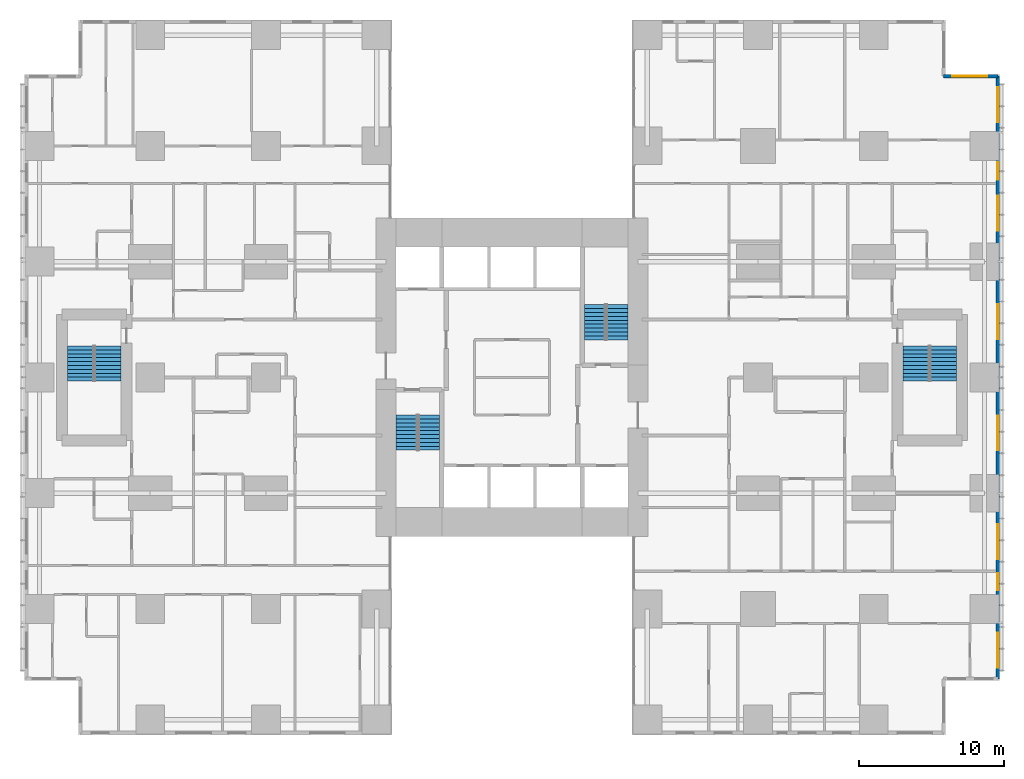
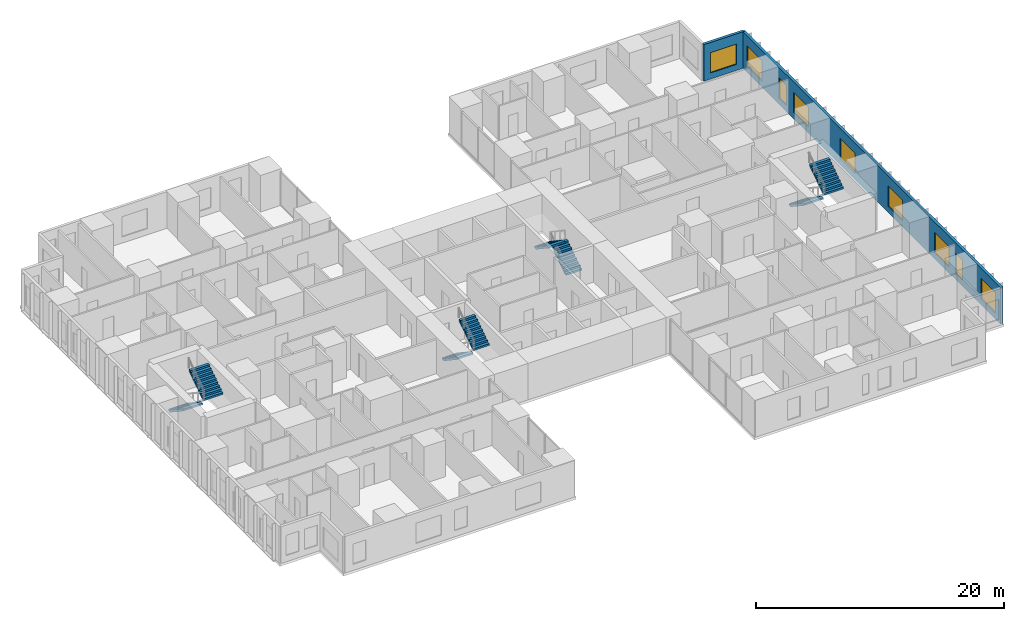
# One storey, part 19 of 20: 9 windows, 8 stair flights, 2 walls, 9 openings, 4 elements without a shape of their own.
"""IFC4 building model written with IfcOpenShell, lengths in metres."""

from ifc_helpers import new_model, si_unit, direction, frame, frame_2d, origin, place, context, subcontext, project, spatial, polyline, rectangle, outline, extrude, material, layer, layer_set, type_object, element, fill, aggregate, save


model = new_model("IFC4")

# Units and contexts
model_context = context("Model", 3, precision=1e-05, world=origin(), true_north=direction((0.0, 1.0)))
body_context = subcontext(model_context, "Body", "Model", "MODEL_VIEW")
ifc_project = project(units=[si_unit("LENGTHUNIT", "METRE"), si_unit("AREAUNIT", "SQUARE_METRE"), si_unit("VOLUMEUNIT", "CUBIC_METRE"), si_unit("PLANEANGLEUNIT", "RADIAN"), si_unit("MASSUNIT", "GRAM", prefix="KILO")], contexts=[model_context])

# Site, building, storey
site_placement = place(None, origin())
site = spatial("IfcSite", under=ifc_project, at=site_placement, CompositionType="ELEMENT")
building_placement = place(site_placement, origin())
building = spatial("IfcBuilding", under=site, at=building_placement, Name="Cleftline Residences", CompositionType="ELEMENT")
storey_placement = place(building_placement, frame((0.0, 0.0, 69.199951171875)))
storey = spatial("IfcBuildingStorey", under=building, at=storey_placement, Name="L17", CompositionType="ELEMENT", Elevation=69.199951171875)

# Wall, openings, windows
ifc_material_1 = material(Name="Rendered reinforced concrete blockwork", Category="masonry")
ifc_layer = layer(ifc_material_1, 0.25)
ifc_layer_set = layer_set([ifc_layer], Name="EXTERNAL WALL 250")
wall_type = type_object("IfcWallType", Name="EXTERNAL WALL 250", PredefinedType="SOLIDWALL", material=ifc_layer_set)
wall_1_placement = place(storey_placement, frame((66.574951171875, 3.175048828125, 0.0), z_axis=(0.0, 0.0, 1.0), x_axis=(0.0, 1.0, 0.0)))
wall_1 = element("IfcWall", 1, at=wall_1_placement, inside=storey, type_object=wall_type, Name="External wall", PredefinedType="SOLIDWALL", context=body_context, shape_type="SweptSolid", body=[
    extrude(rectangle(XDim=41.64990234375, YDim=0.25, at=frame_2d((20.824951171875, 0.0))), origin(), (0.0, 0.0, 1.0), 3.60009765625),
])
opening_1_placement = place(wall_1_placement, frame((0.77490234375, 0.0, 0.60009765625)))
opening_1 = element("IfcOpeningElement", 2, at=opening_1_placement, cuts=wall_1, Name="Opening W6", PredefinedType="OPENING", context=body_context, shape_type="SweptSolid", body=[
    extrude(rectangle(XDim=2.39990234375, YDim=2.0, at=frame_2d((1.199951171875, 1.0))), frame((0.0, 0.135009765625, 0.0), z_axis=(0.0, -1.0, 0.0), x_axis=(1.0, 0.0, 0.0)), (0.0, 0.0, 1.0), 0.27001953125),
])
opening_2_placement = place(wall_1_placement, frame((6.10009765625, 0.0, 0.60009765625)))
opening_2 = element("IfcOpeningElement", 3, at=opening_2_placement, cuts=wall_1, Name="Opening W8", PredefinedType="OPENING", context=body_context, shape_type="SweptSolid", body=[
    extrude(rectangle(XDim=1.199951171875, YDim=2.0, at=frame_2d((0.60009765625, 1.0))), frame((0.0, 0.135009765625, 0.0), z_axis=(0.0, -1.0, 0.0), x_axis=(1.0, 0.0, 0.0)), (0.0, 0.0, 1.0), 0.27001953125),
])
opening_3_placement = place(wall_1_placement, frame((8.27490234375, 0.0, 0.60009765625)))
opening_3 = element("IfcOpeningElement", 4, at=opening_3_placement, cuts=wall_1, Name="Opening W6", PredefinedType="OPENING", context=body_context, shape_type="SweptSolid", body=[
    extrude(rectangle(XDim=2.39990234375, YDim=2.0, at=frame_2d((1.199951171875, 1.0))), frame((0.0, 0.135009765625, 0.0), z_axis=(0.0, -1.0, 0.0), x_axis=(1.0, 0.0, 0.0)), (0.0, 0.0, 1.0), 0.27001953125),
])
opening_4_placement = place(wall_1_placement, frame((15.77490234375, 0.0, 0.60009765625)))
opening_4 = element("IfcOpeningElement", 5, at=opening_4_placement, cuts=wall_1, Name="Opening W6", PredefinedType="OPENING", context=body_context, shape_type="SweptSolid", body=[
    extrude(rectangle(XDim=2.39990234375, YDim=2.0, at=frame_2d((1.199951171875, 1.0))), frame((0.0, 0.135009765625, 0.0), z_axis=(0.0, -1.0, 0.0), x_axis=(1.0, 0.0, 0.0)), (0.0, 0.0, 1.0), 0.27001953125),
])
opening_5_placement = place(wall_1_placement, frame((23.47509765625, 0.0, 0.60009765625)))
opening_5 = element("IfcOpeningElement", 6, at=opening_5_placement, cuts=wall_1, Name="Opening W6", PredefinedType="OPENING", context=body_context, shape_type="SweptSolid", body=[
    extrude(rectangle(XDim=2.39990234375, YDim=2.0, at=frame_2d((1.199951171875, 1.0))), frame((0.0, 0.135009765625, 0.0), z_axis=(0.0, -1.0, 0.0), x_axis=(1.0, 0.0, 0.0)), (0.0, 0.0, 1.0), 0.27001953125),
])
opening_6_placement = place(wall_1_placement, frame((30.97509765625, 0.0, 0.60009765625)))
opening_6 = element("IfcOpeningElement", 7, at=opening_6_placement, cuts=wall_1, Name="Opening W6", PredefinedType="OPENING", context=body_context, shape_type="SweptSolid", body=[
    extrude(rectangle(XDim=2.39990234375, YDim=2.0, at=frame_2d((1.199951171875, 1.0))), frame((0.0, 0.135009765625, 0.0), z_axis=(0.0, -1.0, 0.0), x_axis=(1.0, 0.0, 0.0)), (0.0, 0.0, 1.0), 0.27001953125),
])
opening_7_placement = place(wall_1_placement, frame((34.5, 0.0, 0.60009765625)))
opening_7 = element("IfcOpeningElement", 8, at=opening_7_placement, cuts=wall_1, Name="Opening W8", PredefinedType="OPENING", context=body_context, shape_type="SweptSolid", body=[
    extrude(rectangle(XDim=1.199951171875, YDim=2.0, at=frame_2d((0.60009765625, 1.0))), frame((0.0, 0.135009765625, 0.0), z_axis=(0.0, -1.0, 0.0), x_axis=(1.0, 0.0, 0.0)), (0.0, 0.0, 1.0), 0.27001953125),
])
opening_8_placement = place(wall_1_placement, frame((38.47509765625, 0.0, 0.60009765625)))
opening_8 = element("IfcOpeningElement", 9, at=opening_8_placement, cuts=wall_1, Name="Opening W6", PredefinedType="OPENING", context=body_context, shape_type="SweptSolid", body=[
    extrude(rectangle(XDim=2.39990234375, YDim=2.0, at=frame_2d((1.199951171875, 1.0))), frame((0.0, 0.135009765625, 0.0), z_axis=(0.0, -1.0, 0.0), x_axis=(1.0, 0.0, 0.0)), (0.0, 0.0, 1.0), 0.27001953125),
])
ifc_material_2 = material(Name="Aluminium frame, clear double glazing", Category="aluminium")
window_type_1 = type_object("IfcWindowType", Name="WINDOW 1200X2000", PartitioningType="DOUBLE_PANEL_VERTICAL", PredefinedType="WINDOW", material=ifc_material_2)
window_1_placement = place(opening_2_placement, origin())
window_1 = element("IfcWindow", 10, at=window_1_placement, inside=storey, type_object=window_type_1, Name="Window", OverallHeight=2.0, OverallWidth=1.199951171875, PartitioningType="SINGLE_PANEL", PredefinedType="WINDOW", context=body_context, shape_type="SweptSolid", body=[
    extrude(rectangle(XDim=1.199951171875, YDim=2.0, at=frame_2d((0.60009765625, 1.0))), frame((0.0, 0.030029296875, 0.0), z_axis=(0.0, -1.0, 0.0), x_axis=(1.0, 0.0, 0.0)), (0.0, 0.0, 1.0), 0.06005859375),
])
fill(opening_2, window_1)
window_2_placement = place(opening_7_placement, origin())
window_2 = element("IfcWindow", 11, at=window_2_placement, inside=storey, type_object=window_type_1, Name="Window", OverallHeight=2.0, OverallWidth=1.199951171875, PartitioningType="SINGLE_PANEL", PredefinedType="WINDOW", context=body_context, shape_type="SweptSolid", body=[
    extrude(rectangle(XDim=1.199951171875, YDim=2.0, at=frame_2d((0.60009765625, 1.0))), frame((0.0, 0.030029296875, 0.0), z_axis=(0.0, -1.0, 0.0), x_axis=(1.0, 0.0, 0.0)), (0.0, 0.0, 1.0), 0.06005859375),
])
fill(opening_7, window_2)
ifc_material_3 = material(Name="Aluminium frame, clear double glazing", Category="aluminium")
window_type_2 = type_object("IfcWindowType", Name="WINDOW 2400X2000", PartitioningType="DOUBLE_PANEL_VERTICAL", PredefinedType="WINDOW", material=ifc_material_3)
window_3_placement = place(opening_1_placement, origin())
window_3 = element("IfcWindow", 12, at=window_3_placement, inside=storey, type_object=window_type_2, Name="Window", OverallHeight=2.0, OverallWidth=2.39990234375, PartitioningType="SINGLE_PANEL", PredefinedType="WINDOW", context=body_context, shape_type="SweptSolid", body=[
    extrude(rectangle(XDim=2.39990234375, YDim=2.0, at=frame_2d((1.199951171875, 1.0))), frame((0.0, 0.030029296875, 0.0), z_axis=(0.0, -1.0, 0.0), x_axis=(1.0, 0.0, 0.0)), (0.0, 0.0, 1.0), 0.06005859375),
])
fill(opening_1, window_3)
window_4_placement = place(opening_3_placement, origin())
window_4 = element("IfcWindow", 13, at=window_4_placement, inside=storey, type_object=window_type_2, Name="Window", OverallHeight=2.0, OverallWidth=2.39990234375, PartitioningType="SINGLE_PANEL", PredefinedType="WINDOW", context=body_context, shape_type="SweptSolid", body=[
    extrude(rectangle(XDim=2.39990234375, YDim=2.0, at=frame_2d((1.199951171875, 1.0))), frame((0.0, 0.030029296875, 0.0), z_axis=(0.0, -1.0, 0.0), x_axis=(1.0, 0.0, 0.0)), (0.0, 0.0, 1.0), 0.06005859375),
])
fill(opening_3, window_4)
window_5_placement = place(opening_4_placement, origin())
window_5 = element("IfcWindow", 14, at=window_5_placement, inside=storey, type_object=window_type_2, Name="Window", OverallHeight=2.0, OverallWidth=2.39990234375, PartitioningType="SINGLE_PANEL", PredefinedType="WINDOW", context=body_context, shape_type="SweptSolid", body=[
    extrude(rectangle(XDim=2.39990234375, YDim=2.0, at=frame_2d((1.199951171875, 1.0))), frame((0.0, 0.030029296875, 0.0), z_axis=(0.0, -1.0, 0.0), x_axis=(1.0, 0.0, 0.0)), (0.0, 0.0, 1.0), 0.06005859375),
])
fill(opening_4, window_5)
window_6_placement = place(opening_5_placement, origin())
window_6 = element("IfcWindow", 15, at=window_6_placement, inside=storey, type_object=window_type_2, Name="Window", OverallHeight=2.0, OverallWidth=2.39990234375, PartitioningType="SINGLE_PANEL", PredefinedType="WINDOW", context=body_context, shape_type="SweptSolid", body=[
    extrude(rectangle(XDim=2.39990234375, YDim=2.0, at=frame_2d((1.199951171875, 1.0))), frame((0.0, 0.030029296875, 0.0), z_axis=(0.0, -1.0, 0.0), x_axis=(1.0, 0.0, 0.0)), (0.0, 0.0, 1.0), 0.06005859375),
])
fill(opening_5, window_6)
window_7_placement = place(opening_6_placement, origin())
window_7 = element("IfcWindow", 16, at=window_7_placement, inside=storey, type_object=window_type_2, Name="Window", OverallHeight=2.0, OverallWidth=2.39990234375, PartitioningType="SINGLE_PANEL", PredefinedType="WINDOW", context=body_context, shape_type="SweptSolid", body=[
    extrude(rectangle(XDim=2.39990234375, YDim=2.0, at=frame_2d((1.199951171875, 1.0))), frame((0.0, 0.030029296875, 0.0), z_axis=(0.0, -1.0, 0.0), x_axis=(1.0, 0.0, 0.0)), (0.0, 0.0, 1.0), 0.06005859375),
])
fill(opening_6, window_7)
window_8_placement = place(opening_8_placement, origin())
window_8 = element("IfcWindow", 17, at=window_8_placement, inside=storey, type_object=window_type_2, Name="Window", OverallHeight=2.0, OverallWidth=2.39990234375, PartitioningType="SINGLE_PANEL", PredefinedType="WINDOW", context=body_context, shape_type="SweptSolid", body=[
    extrude(rectangle(XDim=2.39990234375, YDim=2.0, at=frame_2d((1.199951171875, 1.0))), frame((0.0, 0.030029296875, 0.0), z_axis=(0.0, -1.0, 0.0), x_axis=(1.0, 0.0, 0.0)), (0.0, 0.0, 1.0), 0.06005859375),
])
fill(opening_8, window_8)

# Wall, opening, window
wall_2_placement = place(storey_placement, frame((66.574951171875, 44.824951171875, 0.0), z_axis=(0.0, 0.0, 1.0), x_axis=(-1.0, 0.0, 0.0)))
wall_2 = element("IfcWall", 18, at=wall_2_placement, inside=storey, type_object=wall_type, Name="External wall", PredefinedType="SOLIDWALL", context=body_context, shape_type="SweptSolid", body=[
    extrude(rectangle(XDim=3.75, YDim=0.25, at=frame_2d((1.875, 0.0))), origin(), (0.0, 0.0, 1.0), 3.60009765625),
])
opening_9_placement = place(wall_2_placement, frame((0.737548828125, 0.0, 0.60009765625)))
opening_9 = element("IfcOpeningElement", 19, at=opening_9_placement, cuts=wall_2, Name="Opening W6", PredefinedType="OPENING", context=body_context, shape_type="SweptSolid", body=[
    extrude(rectangle(XDim=2.39990234375, YDim=2.0, at=frame_2d((1.199951171875, 1.0))), frame((0.0, 0.135009765625, 0.0), z_axis=(0.0, -1.0, 0.0), x_axis=(1.0, 0.0, 0.0)), (0.0, 0.0, 1.0), 0.27001953125),
])
window_9_placement = place(opening_9_placement, origin())
window_9 = element("IfcWindow", 20, at=window_9_placement, inside=storey, type_object=window_type_2, Name="Window", OverallHeight=2.0, OverallWidth=2.39990234375, PartitioningType="SINGLE_PANEL", PredefinedType="WINDOW", context=body_context, shape_type="SweptSolid", body=[
    extrude(rectangle(XDim=2.39990234375, YDim=2.0, at=frame_2d((1.199951171875, 1.0))), frame((0.0, 0.030029296875, 0.0), z_axis=(0.0, -1.0, 0.0), x_axis=(1.0, 0.0, 0.0)), (0.0, 0.0, 1.0), 0.06005859375),
])
fill(opening_9, window_9)

# Stair, stair flights
ifc_material_4 = material(Name="Concrete B45, stone treads", Category="masonry")
stair_type_1 = type_object("IfcStairType", Name="STAIR A 1450 WIDE 180 RISER", PredefinedType="HALF_TURN_STAIR", material=ifc_material_4)
stair_1_placement = place(storey_placement, origin())
stair_1 = element("IfcStair", 21, at=stair_1_placement, inside=storey, type_object=stair_type_1, Name="Stair A L17", PredefinedType="HALF_TURN_STAIR")
ifc_material_5 = material(Name="Concrete B45", Category="concrete")
stair_flight_type_1 = type_object("IfcStairFlightType", Name="STAIR A FLIGHT 1450X180", PredefinedType="STRAIGHT", material=ifc_material_5)
stair_flight_1_placement = place(storey_placement, frame((25.72509765625, 21.39990234375, 0.0), z_axis=(0.0, 0.0, 1.0), x_axis=(0.0, -1.0, 0.0)))
stair_flight_1 = element("IfcStairFlight", 22, at=stair_flight_1_placement, type_object=stair_flight_type_1, Name="ST-A flight 1", NumberOfRisers=10, NumberOfTreads=9, PredefinedType="STRAIGHT", RiserHeight=0.18, TreadLength=0.27, context=body_context, shape_type="SweptSolid", body=[
    extrude(outline(polyline([(0.0, 0.0), (0.0, 0.013916015625), (0.0, 0.027587890625), (0.0, 0.04150390625), (0.0, 0.055419921875), (0.0, 0.0693359375), (0.0, 0.0830078125), (0.0, 0.096923828125), (0.0, 0.11083984375), (0.0, 0.12451171875), (0.0, 0.138427734375), (0.0, 0.15234375), (0.0, 0.166259765625), (0.0, 0.179931640625), (0.27001953125, 0.179931640625), (0.27001953125, 0.360107421875), (0.5400390625, 0.360107421875), (0.5400390625, 0.5400390625), (0.81005859375, 0.5400390625), (0.81005859375, 0.719970703125), (1.080078125, 0.719970703125), (1.080078125, 0.89990234375), (1.35009765625, 0.89990234375), (1.35009765625, 1.080078125), (1.6201171875, 1.080078125), (1.6201171875, 1.260009765625), (1.889892578125, 1.260009765625), (1.889892578125, 1.43994140625), (2.159912109375, 1.43994140625), (2.159912109375, 1.6201171875), (2.429931640625, 1.6201171875), (2.429931640625, 1.800048828125), (2.429931640625, 1.772216796875), (2.429931640625, 1.74462890625), (2.429931640625, 1.716796875), (2.429931640625, 1.689208984375), (2.429931640625, 1.661376953125), (2.429931640625, 1.6337890625), (2.429931640625, 1.60595703125), (2.429931640625, 1.578369140625), (2.429931640625, 1.550537109375), (2.429931640625, 1.52294921875), (2.429931640625, 1.495361328125), (2.429931640625, 1.467529296875), (2.429931640625, 1.43994140625), (0.270263671875, 0.0), (0.0, 0.0)])), frame((0.0, 0.72509765625, 0.0), z_axis=(0.0, -1.0, 0.0), x_axis=(1.0, 0.0, 0.0)), (0.0, 0.0, 1.0), 1.449951171875),
])
stair_flight_2_placement = place(storey_placement, frame((27.27490234375, 18.969970703125, 1.800048828125), z_axis=(0.0, 0.0, 1.0), x_axis=(0.0, 1.0, 0.0)))
stair_flight_2 = element("IfcStairFlight", 23, at=stair_flight_2_placement, type_object=stair_flight_type_1, Name="ST-A flight 2", NumberOfRisers=10, NumberOfTreads=9, PredefinedType="STRAIGHT", RiserHeight=0.18, TreadLength=0.27, context=body_context, shape_type="SweptSolid", body=[
    extrude(outline(polyline([(0.0, 0.0), (0.0, 0.013916015625), (0.0, 0.027587890625), (0.0, 0.04150390625), (0.0, 0.055419921875), (0.0, 0.0693359375), (0.0, 0.0830078125), (0.0, 0.096923828125), (0.0, 0.11083984375), (0.0, 0.12451171875), (0.0, 0.138427734375), (0.0, 0.15234375), (0.0, 0.166259765625), (0.0, 0.179931640625), (0.27001953125, 0.179931640625), (0.27001953125, 0.360107421875), (0.5400390625, 0.360107421875), (0.5400390625, 0.5400390625), (0.81005859375, 0.5400390625), (0.81005859375, 0.719970703125), (1.080078125, 0.719970703125), (1.080078125, 0.89990234375), (1.35009765625, 0.89990234375), (1.35009765625, 1.080078125), (1.6201171875, 1.080078125), (1.6201171875, 1.260009765625), (1.889892578125, 1.260009765625), (1.889892578125, 1.43994140625), (2.159912109375, 1.43994140625), (2.159912109375, 1.6201171875), (2.429931640625, 1.6201171875), (2.429931640625, 1.800048828125), (2.429931640625, 1.772216796875), (2.429931640625, 1.74462890625), (2.429931640625, 1.716796875), (2.429931640625, 1.689208984375), (2.429931640625, 1.661376953125), (2.429931640625, 1.6337890625), (2.429931640625, 1.60595703125), (2.429931640625, 1.578369140625), (2.429931640625, 1.550537109375), (2.429931640625, 1.52294921875), (2.429931640625, 1.495361328125), (2.429931640625, 1.467529296875), (2.429931640625, 1.43994140625), (0.270263671875, 0.0), (0.0, 0.0)])), frame((0.0, 0.72509765625, 0.0), z_axis=(0.0, -1.0, 0.0), x_axis=(1.0, 0.0, 0.0)), (0.0, 0.0, 1.0), 1.449951171875),
])
aggregate(stair_1, [stair_flight_1, stair_flight_2])

ifc_material_6 = material(Name="Concrete B45, stone treads", Category="masonry")
stair_type_2 = type_object("IfcStairType", Name="STAIR B 1450 WIDE 180 RISER", PredefinedType="HALF_TURN_STAIR", material=ifc_material_6)
stair_2_placement = place(storey_placement, origin())
stair_2 = element("IfcStair", 24, at=stair_2_placement, inside=storey, type_object=stair_type_2, Name="Stair B L17", PredefinedType="HALF_TURN_STAIR")
ifc_material_7 = material(Name="Concrete B45", Category="concrete")
stair_flight_type_2 = type_object("IfcStairFlightType", Name="STAIR B FLIGHT 1450X180", PredefinedType="STRAIGHT", material=ifc_material_7)
stair_flight_3_placement = place(storey_placement, frame((40.27490234375, 26.60009765625, 0.0), z_axis=(0.0, 0.0, 1.0), x_axis=(0.0, 1.0, 0.0)))
stair_flight_3 = element("IfcStairFlight", 25, at=stair_flight_3_placement, type_object=stair_flight_type_2, Name="ST-B flight 1", NumberOfRisers=10, NumberOfTreads=9, PredefinedType="STRAIGHT", RiserHeight=0.18, TreadLength=0.27, context=body_context, shape_type="SweptSolid", body=[
    extrude(outline(polyline([(0.0, 0.0), (0.0, 0.013916015625), (0.0, 0.027587890625), (0.0, 0.04150390625), (0.0, 0.055419921875), (0.0, 0.0693359375), (0.0, 0.0830078125), (0.0, 0.096923828125), (0.0, 0.11083984375), (0.0, 0.12451171875), (0.0, 0.138427734375), (0.0, 0.15234375), (0.0, 0.166259765625), (0.0, 0.179931640625), (0.27001953125, 0.179931640625), (0.27001953125, 0.360107421875), (0.5400390625, 0.360107421875), (0.5400390625, 0.5400390625), (0.81005859375, 0.5400390625), (0.81005859375, 0.719970703125), (1.080078125, 0.719970703125), (1.080078125, 0.89990234375), (1.35009765625, 0.89990234375), (1.35009765625, 1.080078125), (1.6201171875, 1.080078125), (1.6201171875, 1.260009765625), (1.889892578125, 1.260009765625), (1.889892578125, 1.43994140625), (2.159912109375, 1.43994140625), (2.159912109375, 1.6201171875), (2.429931640625, 1.6201171875), (2.429931640625, 1.800048828125), (2.429931640625, 1.772216796875), (2.429931640625, 1.74462890625), (2.429931640625, 1.716796875), (2.429931640625, 1.689208984375), (2.429931640625, 1.661376953125), (2.429931640625, 1.6337890625), (2.429931640625, 1.60595703125), (2.429931640625, 1.578369140625), (2.429931640625, 1.550537109375), (2.429931640625, 1.52294921875), (2.429931640625, 1.495361328125), (2.429931640625, 1.467529296875), (2.429931640625, 1.43994140625), (0.270263671875, 0.0), (0.0, 0.0)])), frame((0.0, 0.72509765625, 0.0), z_axis=(0.0, -1.0, 0.0), x_axis=(1.0, 0.0, 0.0)), (0.0, 0.0, 1.0), 1.449951171875),
])
stair_flight_4_placement = place(storey_placement, frame((38.72509765625, 29.030029296875, 1.800048828125), z_axis=(0.0, 0.0, 1.0), x_axis=(0.0, -1.0, 0.0)))
stair_flight_4 = element("IfcStairFlight", 26, at=stair_flight_4_placement, type_object=stair_flight_type_2, Name="ST-B flight 2", NumberOfRisers=10, NumberOfTreads=9, PredefinedType="STRAIGHT", RiserHeight=0.18, TreadLength=0.27, context=body_context, shape_type="SweptSolid", body=[
    extrude(outline(polyline([(0.0, 0.0), (0.0, 0.013916015625), (0.0, 0.027587890625), (0.0, 0.04150390625), (0.0, 0.055419921875), (0.0, 0.0693359375), (0.0, 0.0830078125), (0.0, 0.096923828125), (0.0, 0.11083984375), (0.0, 0.12451171875), (0.0, 0.138427734375), (0.0, 0.15234375), (0.0, 0.166259765625), (0.0, 0.179931640625), (0.27001953125, 0.179931640625), (0.27001953125, 0.360107421875), (0.5400390625, 0.360107421875), (0.5400390625, 0.5400390625), (0.81005859375, 0.5400390625), (0.81005859375, 0.719970703125), (1.080078125, 0.719970703125), (1.080078125, 0.89990234375), (1.35009765625, 0.89990234375), (1.35009765625, 1.080078125), (1.6201171875, 1.080078125), (1.6201171875, 1.260009765625), (1.889892578125, 1.260009765625), (1.889892578125, 1.43994140625), (2.159912109375, 1.43994140625), (2.159912109375, 1.6201171875), (2.429931640625, 1.6201171875), (2.429931640625, 1.800048828125), (2.429931640625, 1.772216796875), (2.429931640625, 1.74462890625), (2.429931640625, 1.716796875), (2.429931640625, 1.689208984375), (2.429931640625, 1.661376953125), (2.429931640625, 1.6337890625), (2.429931640625, 1.60595703125), (2.429931640625, 1.578369140625), (2.429931640625, 1.550537109375), (2.429931640625, 1.52294921875), (2.429931640625, 1.495361328125), (2.429931640625, 1.467529296875), (2.429931640625, 1.43994140625), (0.270263671875, 0.0), (0.0, 0.0)])), frame((0.0, 0.72509765625, 0.0), z_axis=(0.0, -1.0, 0.0), x_axis=(1.0, 0.0, 0.0)), (0.0, 0.0, 1.0), 1.449951171875),
])
aggregate(stair_2, [stair_flight_3, stair_flight_4])

ifc_material_8 = material(Name="Concrete B45, stone treads", Category="masonry")
stair_type_3 = type_object("IfcStairType", Name="STAIR E 1800 WIDE 180 RISER", PredefinedType="HALF_TURN_STAIR", material=ifc_material_8)
stair_3_placement = place(storey_placement, origin())
stair_3 = element("IfcStair", 27, at=stair_3_placement, inside=storey, type_object=stair_type_3, Name="Stair E L17", PredefinedType="HALF_TURN_STAIR")
ifc_material_9 = material(Name="Concrete B45", Category="concrete")
stair_flight_type_3 = type_object("IfcStairFlightType", Name="STAIR E FLIGHT 1800X180", PredefinedType="STRAIGHT", material=ifc_material_9)
stair_flight_5_placement = place(storey_placement, frame((60.925048828125, 26.175048828125, 0.0), z_axis=(0.0, 0.0, 1.0), x_axis=(0.0, -1.0, 0.0)))
stair_flight_5 = element("IfcStairFlight", 28, at=stair_flight_5_placement, type_object=stair_flight_type_3, Name="ST-E flight 1", NumberOfRisers=10, NumberOfTreads=9, PredefinedType="STRAIGHT", RiserHeight=0.18, TreadLength=0.27, context=body_context, shape_type="SweptSolid", body=[
    extrude(outline(polyline([(0.0, 0.0), (0.0, 0.013916015625), (0.0, 0.027587890625), (0.0, 0.04150390625), (0.0, 0.055419921875), (0.0, 0.0693359375), (0.0, 0.0830078125), (0.0, 0.096923828125), (0.0, 0.11083984375), (0.0, 0.12451171875), (0.0, 0.138427734375), (0.0, 0.15234375), (0.0, 0.166259765625), (0.0, 0.179931640625), (0.27001953125, 0.179931640625), (0.27001953125, 0.360107421875), (0.5400390625, 0.360107421875), (0.5400390625, 0.5400390625), (0.81005859375, 0.5400390625), (0.81005859375, 0.719970703125), (1.080078125, 0.719970703125), (1.080078125, 0.89990234375), (1.35009765625, 0.89990234375), (1.35009765625, 1.080078125), (1.6201171875, 1.080078125), (1.6201171875, 1.260009765625), (1.889892578125, 1.260009765625), (1.889892578125, 1.43994140625), (2.159912109375, 1.43994140625), (2.159912109375, 1.6201171875), (2.429931640625, 1.6201171875), (2.429931640625, 1.800048828125), (2.429931640625, 1.772216796875), (2.429931640625, 1.74462890625), (2.429931640625, 1.716796875), (2.429931640625, 1.689208984375), (2.429931640625, 1.661376953125), (2.429931640625, 1.6337890625), (2.429931640625, 1.60595703125), (2.429931640625, 1.578369140625), (2.429931640625, 1.550537109375), (2.429931640625, 1.52294921875), (2.429931640625, 1.495361328125), (2.429931640625, 1.467529296875), (2.429931640625, 1.43994140625), (0.270263671875, 0.0), (0.0, 0.0)])), frame((0.0, 0.89990234375, 0.0), z_axis=(0.0, -1.0, 0.0), x_axis=(1.0, 0.0, 0.0)), (0.0, 0.0, 1.0), 1.800048828125),
])
stair_flight_6_placement = place(storey_placement, frame((62.824951171875, 23.7451171875, 1.800048828125), z_axis=(0.0, 0.0, 1.0), x_axis=(0.0, 1.0, 0.0)))
stair_flight_6 = element("IfcStairFlight", 29, at=stair_flight_6_placement, type_object=stair_flight_type_3, Name="ST-E flight 2", NumberOfRisers=10, NumberOfTreads=9, PredefinedType="STRAIGHT", RiserHeight=0.18, TreadLength=0.27, context=body_context, shape_type="SweptSolid", body=[
    extrude(outline(polyline([(0.0, 0.0), (0.0, 0.013916015625), (0.0, 0.027587890625), (0.0, 0.04150390625), (0.0, 0.055419921875), (0.0, 0.0693359375), (0.0, 0.0830078125), (0.0, 0.096923828125), (0.0, 0.11083984375), (0.0, 0.12451171875), (0.0, 0.138427734375), (0.0, 0.15234375), (0.0, 0.166259765625), (0.0, 0.179931640625), (0.27001953125, 0.179931640625), (0.27001953125, 0.360107421875), (0.5400390625, 0.360107421875), (0.5400390625, 0.5400390625), (0.81005859375, 0.5400390625), (0.81005859375, 0.719970703125), (1.080078125, 0.719970703125), (1.080078125, 0.89990234375), (1.35009765625, 0.89990234375), (1.35009765625, 1.080078125), (1.6201171875, 1.080078125), (1.6201171875, 1.260009765625), (1.889892578125, 1.260009765625), (1.889892578125, 1.43994140625), (2.159912109375, 1.43994140625), (2.159912109375, 1.6201171875), (2.429931640625, 1.6201171875), (2.429931640625, 1.800048828125), (2.429931640625, 1.772216796875), (2.429931640625, 1.74462890625), (2.429931640625, 1.716796875), (2.429931640625, 1.689208984375), (2.429931640625, 1.661376953125), (2.429931640625, 1.6337890625), (2.429931640625, 1.60595703125), (2.429931640625, 1.578369140625), (2.429931640625, 1.550537109375), (2.429931640625, 1.52294921875), (2.429931640625, 1.495361328125), (2.429931640625, 1.467529296875), (2.429931640625, 1.43994140625), (0.270263671875, 0.0), (0.0, 0.0)])), frame((0.0, 0.89990234375, 0.0), z_axis=(0.0, -1.0, 0.0), x_axis=(1.0, 0.0, 0.0)), (0.0, 0.0, 1.0), 1.800048828125),
])
aggregate(stair_3, [stair_flight_5, stair_flight_6])

ifc_material_10 = material(Name="Concrete B45, stone treads", Category="masonry")
stair_type_4 = type_object("IfcStairType", Name="STAIR W 1800 WIDE 180 RISER", PredefinedType="HALF_TURN_STAIR", material=ifc_material_10)
stair_4_placement = place(storey_placement, origin())
stair_4 = element("IfcStair", 30, at=stair_4_placement, inside=storey, type_object=stair_type_4, Name="Stair W L17", PredefinedType="HALF_TURN_STAIR")
ifc_material_11 = material(Name="Concrete B45", Category="concrete")
stair_flight_type_4 = type_object("IfcStairFlightType", Name="STAIR W FLIGHT 1800X180", PredefinedType="STRAIGHT", material=ifc_material_11)
stair_flight_7_placement = place(storey_placement, frame((3.175048828125, 26.175048828125, 0.0), z_axis=(0.0, 0.0, 1.0), x_axis=(0.0, -1.0, 0.0)))
stair_flight_7 = element("IfcStairFlight", 31, at=stair_flight_7_placement, type_object=stair_flight_type_4, Name="ST-W flight 1", NumberOfRisers=10, NumberOfTreads=9, PredefinedType="STRAIGHT", RiserHeight=0.18, TreadLength=0.27, context=body_context, shape_type="SweptSolid", body=[
    extrude(outline(polyline([(0.0, 0.0), (0.0, 0.013916015625), (0.0, 0.027587890625), (0.0, 0.04150390625), (0.0, 0.055419921875), (0.0, 0.0693359375), (0.0, 0.0830078125), (0.0, 0.096923828125), (0.0, 0.11083984375), (0.0, 0.12451171875), (0.0, 0.138427734375), (0.0, 0.15234375), (0.0, 0.166259765625), (0.0, 0.179931640625), (0.27001953125, 0.179931640625), (0.27001953125, 0.360107421875), (0.5400390625, 0.360107421875), (0.5400390625, 0.5400390625), (0.81005859375, 0.5400390625), (0.81005859375, 0.719970703125), (1.080078125, 0.719970703125), (1.080078125, 0.89990234375), (1.35009765625, 0.89990234375), (1.35009765625, 1.080078125), (1.6201171875, 1.080078125), (1.6201171875, 1.260009765625), (1.889892578125, 1.260009765625), (1.889892578125, 1.43994140625), (2.159912109375, 1.43994140625), (2.159912109375, 1.6201171875), (2.429931640625, 1.6201171875), (2.429931640625, 1.800048828125), (2.429931640625, 1.772216796875), (2.429931640625, 1.74462890625), (2.429931640625, 1.716796875), (2.429931640625, 1.689208984375), (2.429931640625, 1.661376953125), (2.429931640625, 1.6337890625), (2.429931640625, 1.60595703125), (2.429931640625, 1.578369140625), (2.429931640625, 1.550537109375), (2.429931640625, 1.52294921875), (2.429931640625, 1.495361328125), (2.429931640625, 1.467529296875), (2.429931640625, 1.43994140625), (0.270263671875, 0.0), (0.0, 0.0)])), frame((0.0, 0.89990234375, 0.0), z_axis=(0.0, -1.0, 0.0), x_axis=(1.0, 0.0, 0.0)), (0.0, 0.0, 1.0), 1.800048828125),
])
stair_flight_8_placement = place(storey_placement, frame((5.074951171875, 23.7451171875, 1.800048828125), z_axis=(0.0, 0.0, 1.0), x_axis=(0.0, 1.0, 0.0)))
stair_flight_8 = element("IfcStairFlight", 32, at=stair_flight_8_placement, type_object=stair_flight_type_4, Name="ST-W flight 2", NumberOfRisers=10, NumberOfTreads=9, PredefinedType="STRAIGHT", RiserHeight=0.18, TreadLength=0.27, context=body_context, shape_type="SweptSolid", body=[
    extrude(outline(polyline([(0.0, 0.0), (0.0, 0.013916015625), (0.0, 0.027587890625), (0.0, 0.04150390625), (0.0, 0.055419921875), (0.0, 0.0693359375), (0.0, 0.0830078125), (0.0, 0.096923828125), (0.0, 0.11083984375), (0.0, 0.12451171875), (0.0, 0.138427734375), (0.0, 0.15234375), (0.0, 0.166259765625), (0.0, 0.179931640625), (0.27001953125, 0.179931640625), (0.27001953125, 0.360107421875), (0.5400390625, 0.360107421875), (0.5400390625, 0.5400390625), (0.81005859375, 0.5400390625), (0.81005859375, 0.719970703125), (1.080078125, 0.719970703125), (1.080078125, 0.89990234375), (1.35009765625, 0.89990234375), (1.35009765625, 1.080078125), (1.6201171875, 1.080078125), (1.6201171875, 1.260009765625), (1.889892578125, 1.260009765625), (1.889892578125, 1.43994140625), (2.159912109375, 1.43994140625), (2.159912109375, 1.6201171875), (2.429931640625, 1.6201171875), (2.429931640625, 1.800048828125), (2.429931640625, 1.772216796875), (2.429931640625, 1.74462890625), (2.429931640625, 1.716796875), (2.429931640625, 1.689208984375), (2.429931640625, 1.661376953125), (2.429931640625, 1.6337890625), (2.429931640625, 1.60595703125), (2.429931640625, 1.578369140625), (2.429931640625, 1.550537109375), (2.429931640625, 1.52294921875), (2.429931640625, 1.495361328125), (2.429931640625, 1.467529296875), (2.429931640625, 1.43994140625), (0.270263671875, 0.0), (0.0, 0.0)])), frame((0.0, 0.89990234375, 0.0), z_axis=(0.0, -1.0, 0.0), x_axis=(1.0, 0.0, 0.0)), (0.0, 0.0, 1.0), 1.800048828125),
])
aggregate(stair_4, [stair_flight_7, stair_flight_8])

save(model, "model.ifc")
